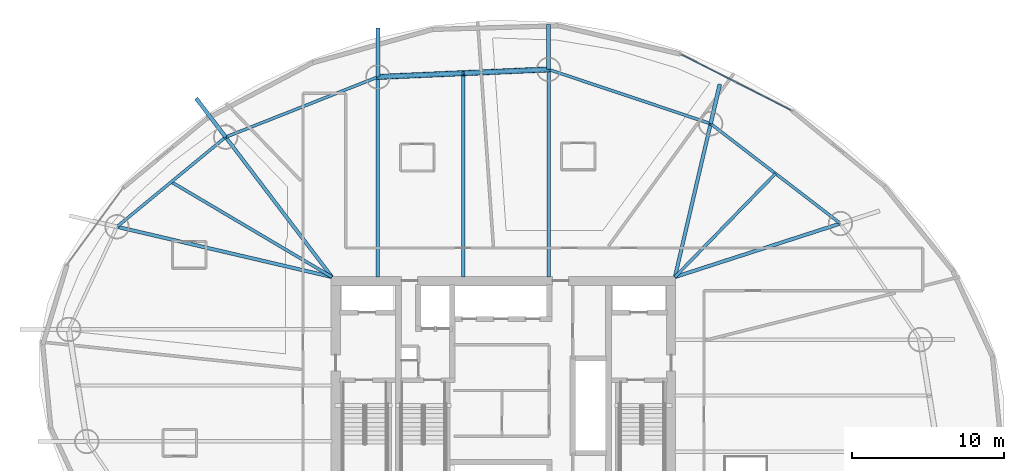
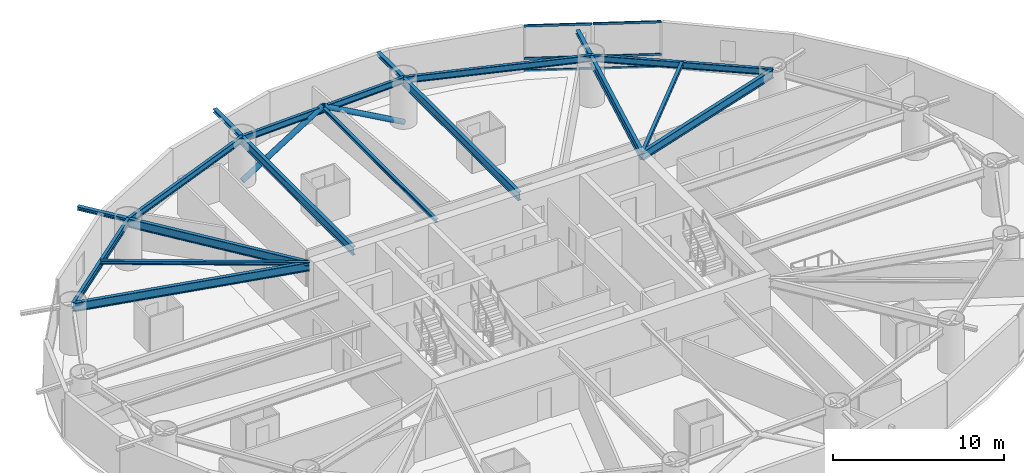
# One storey, part 11 of 20: 18 beams, 8 members, 1 element without a shape of its own.
"""IFC4 building model written with IfcOpenShell, lengths in metres."""

from ifc_helpers import new_model, si_unit, direction, frame, origin, origin_2d, place, context, subcontext, project, spatial, hollow_rectangle, hollow_circle, i_section, extrude, material, layer, layer_set, material_profile, profile_set, type_object, element, aggregate, save


model = new_model("IFC4")

# Units and contexts
model_context = context("Model", 3, precision=1e-05, world=origin(), true_north=direction((0.0, 1.0)))
body_context = subcontext(model_context, "Body", "Model", "MODEL_VIEW")
ifc_project = project(units=[si_unit("LENGTHUNIT", "METRE"), si_unit("AREAUNIT", "SQUARE_METRE"), si_unit("VOLUMEUNIT", "CUBIC_METRE"), si_unit("PLANEANGLEUNIT", "RADIAN"), si_unit("MASSUNIT", "GRAM", prefix="KILO")], contexts=[model_context])

# Site, building, storey
site_placement = place(None, origin())
site = spatial("IfcSite", under=ifc_project, at=site_placement, CompositionType="ELEMENT")
building_placement = place(site_placement, origin())
building = spatial("IfcBuilding", under=site, at=building_placement, Name="Bramvorn Convention Spire", CompositionType="ELEMENT")
storey_placement = place(building_placement, frame((0.0, 0.0, 58.89990234375)))
storey = spatial("IfcBuildingStorey", under=building, at=storey_placement, Name="L12", CompositionType="ELEMENT", Elevation=58.89990234375)

# Beams
ifc_material_1 = material(Name="Steel CSA G40.21 Grade 350 (350W)", Category="steel")
ifc_material_profile_1 = material_profile(ifc_material_1, i_section(OverallWidth=0.201904296875, OverallDepth=0.2470703125, WebThickness=0.00732421875, FlangeThickness=0.010986328125, FilletRadius=0.011962890625, at=origin_2d()))
ifc_profile_set_1 = profile_set([ifc_material_profile_1], Name="Steel CSA G40.21 Grade 350 (350W) - W250X49")
beam_type_1 = type_object("IfcBeamType", Name="BM-W250X49", PredefinedType="JOIST", material=ifc_profile_set_1)
beam_1_placement = place(storey_placement, frame((49.25, 33.449951171875, 3.126708984375), z_axis=(0.697170484005, 0.716905374671, 0.0), x_axis=(-0.716905374671, 0.697170484005, 0.0)))
element("IfcBeam", 1, at=beam_1_placement, inside=storey, type_object=beam_type_1, Name="L12 composite floor joist 03", PredefinedType="JOIST", context=body_context, shape_type="SweptSolid", body=[
    extrude(i_section(OverallWidth=0.201904296875, OverallDepth=0.2470703125, WebThickness=0.00732421875, FlangeThickness=0.010986328125, FilletRadius=0.011962890625, at=origin_2d()), origin(), (0.0, 0.0, 1.0), 9.4638671875),
])
beam_2_placement = place(storey_placement, frame((35.361572265625, 33.449951171875, 3.126708984375), z_axis=(0.0, 1.0, 0.0), x_axis=(-1.0, 0.0, 0.0)))
element("IfcBeam", 2, at=beam_2_placement, inside=storey, type_object=beam_type_1, Name="L12 composite floor joist 05", PredefinedType="JOIST", context=body_context, shape_type="SweptSolid", body=[
    extrude(i_section(OverallWidth=0.201904296875, OverallDepth=0.2470703125, WebThickness=0.00732421875, FlangeThickness=0.010986328125, FilletRadius=0.011962890625, at=origin_2d()), origin(), (0.0, 0.0, 1.0), 13.372802734375),
])
beam_3_placement = place(storey_placement, frame((26.75, 33.449951171875, 3.126708984375), z_axis=(-0.860664556648, 0.509172388223, 0.0), x_axis=(-0.509172388223, -0.860664556648, 0.0)))
element("IfcBeam", 3, at=beam_3_placement, inside=storey, type_object=beam_type_1, Name="L12 composite floor joist 07", PredefinedType="JOIST", context=body_context, shape_type="SweptSolid", body=[
    extrude(i_section(OverallWidth=0.201904296875, OverallDepth=0.2470703125, WebThickness=0.00732421875, FlangeThickness=0.010986328125, FilletRadius=0.011962890625, at=origin_2d()), origin(), (0.0, 0.0, 1.0), 12.25048828125),
])
ifc_material_profile_2 = material_profile(ifc_material_1, i_section(OverallWidth=0.25390625, OverallDepth=0.2529296875, WebThickness=0.008544921875, FlangeThickness=0.01416015625, FilletRadius=0.011962890625, at=origin_2d()))
ifc_profile_set_2 = profile_set([ifc_material_profile_2], Name="Steel CSA G40.21 Grade 350 (350W) - W250X73")
beam_type_2 = type_object("IfcBeamType", Name="BM-W250X73", PredefinedType="BEAM", material=ifc_profile_set_2)
beam_4_placement = place(storey_placement, frame((51.59033203125, 43.509033203125, 3.12353515625), z_axis=(0.226618581984, 0.973983582151, 0.0), x_axis=(-0.973983582151, 0.226618581984, 0.0)))
element("IfcBeam", 4, at=beam_4_placement, inside=storey, type_object=beam_type_2, Name="L12 slab-edge cantilever tip beam MC04", PredefinedType="BEAM", context=body_context, shape_type="SweptSolid", body=[
    extrude(i_section(OverallWidth=0.25390625, OverallDepth=0.2529296875, WebThickness=0.008544921875, FlangeThickness=0.01416015625, FilletRadius=0.011962890625, at=origin_2d()), origin(), (0.0, 0.0, 1.0), 2.665283203125),
])
beam_5_placement = place(storey_placement, frame((40.9609375, 47.06884765625, 3.12353515625), z_axis=(0.0, 1.0, 0.0), x_axis=(-1.0, 0.0, 0.0)))
element("IfcBeam", 5, at=beam_5_placement, inside=storey, type_object=beam_type_2, Name="L12 slab-edge cantilever tip beam MC05", PredefinedType="BEAM", context=body_context, shape_type="SweptSolid", body=[
    extrude(i_section(OverallWidth=0.25390625, OverallDepth=0.2529296875, WebThickness=0.008544921875, FlangeThickness=0.01416015625, FilletRadius=0.011962890625, at=origin_2d()), origin(), (0.0, 0.0, 1.0), 2.9384765625),
])
for number, where, z_axis, x_axis, name in (
    (6, (29.76220703125, 46.57666015625, 3.12353515625), (0.0, 1.0, 0.0), (-1.0, 0.0, 0.0), "L12 slab-edge cantilever tip beam MC06"),
    (7, (19.772216796875, 42.628662109375, 3.12353515625), (-0.605150969009, 0.796110736461, 0.0), (-0.796110736461, -0.605150969009, 0.0), "L12 slab-edge cantilever tip beam MC07"),
):
    element("IfcBeam", number, at=place(storey_placement, frame(where, z_axis=z_axis, x_axis=x_axis)), inside=storey, type_object=beam_type_2, Name=name, PredefinedType="BEAM", context=body_context, shape_type="SweptSolid", body=[
        extrude(i_section(OverallWidth=0.25390625, OverallDepth=0.2529296875, WebThickness=0.008544921875, FlangeThickness=0.01416015625, FilletRadius=0.011962890625, at=origin_2d()), origin(), (0.0, 0.0, 1.0), 3.199951171875),
    ])
ifc_material_profile_3 = material_profile(ifc_material_1, i_section(OverallWidth=0.194091796875, OverallDepth=0.468994140625, WebThickness=0.0126953125, FlangeThickness=0.0205078125, FilletRadius=0.01806640625, at=origin_2d()))
ifc_profile_set_3 = profile_set([ifc_material_profile_3], Name="Steel CSA G40.21 Grade 350 (350W) - W460X106")
beam_type_3 = type_object("IfcBeamType", Name="BM-W460X106", PredefinedType="SPANDREL", material=ifc_profile_set_3)
beam_6_placement = place(storey_placement, frame((60.105224609375, 36.960205078125, 3.015625), z_axis=(-0.792672990445, 0.609647053809, 0.0), x_axis=(-0.609647053809, -0.792672990445, 0.0)))
element("IfcBeam", 8, at=beam_6_placement, inside=storey, type_object=beam_type_3, Name="L12 mega-column ring beam 03", PredefinedType="SPANDREL", context=body_context, shape_type="SweptSolid", body=[
    extrude(i_section(OverallWidth=0.194091796875, OverallDepth=0.468994140625, WebThickness=0.0126953125, FlangeThickness=0.0205078125, FilletRadius=0.01806640625, at=origin_2d()), origin(), (0.0, 0.0, 1.0), 10.741943359375),
])
beam_7_placement = place(storey_placement, frame((51.59033203125, 43.509033203125, 3.015625), z_axis=(-0.948235872727, 0.317566890078, 0.0), x_axis=(-0.317566890078, -0.948235872727, 0.0)))
element("IfcBeam", 9, at=beam_7_placement, inside=storey, type_object=beam_type_3, Name="L12 mega-column ring beam 04", PredefinedType="SPANDREL", context=body_context, shape_type="SweptSolid", body=[
    extrude(i_section(OverallWidth=0.194091796875, OverallDepth=0.468994140625, WebThickness=0.0126953125, FlangeThickness=0.0205078125, FilletRadius=0.01806640625, at=origin_2d()), origin(), (0.0, 0.0, 1.0), 11.209716796875),
])
beam_8_placement = place(storey_placement, frame((40.9609375, 47.06884765625, 3.015625), z_axis=(-0.999035582762, -0.043907907889, 0.0), x_axis=(0.043907907889, -0.999035582762, 0.0)))
element("IfcBeam", 10, at=beam_8_placement, inside=storey, type_object=beam_type_3, Name="L12 mega-column ring beam 05", PredefinedType="SPANDREL", context=body_context, shape_type="SweptSolid", body=[
    extrude(i_section(OverallWidth=0.194091796875, OverallDepth=0.468994140625, WebThickness=0.0126953125, FlangeThickness=0.0205078125, FilletRadius=0.01806640625, at=origin_2d()), origin(), (0.0, 0.0, 1.0), 11.20947265625),
])
beam_9_placement = place(storey_placement, frame((29.76220703125, 46.57666015625, 3.015625), z_axis=(-0.93000950609, -0.367535465749, 0.0), x_axis=(0.367535465749, -0.93000950609, 0.0)))
element("IfcBeam", 11, at=beam_9_placement, inside=storey, type_object=beam_type_3, Name="L12 mega-column ring beam 06", PredefinedType="SPANDREL", context=body_context, shape_type="SweptSolid", body=[
    extrude(i_section(OverallWidth=0.194091796875, OverallDepth=0.468994140625, WebThickness=0.0126953125, FlangeThickness=0.0205078125, FilletRadius=0.01806640625, at=origin_2d()), origin(), (0.0, 0.0, 1.0), 10.74169921875),
])
beam_10_placement = place(storey_placement, frame((19.772216796875, 42.628662109375, 3.015625), z_axis=(-0.771417680101, -0.636329130896, 0.0), x_axis=(0.636329130896, -0.771417680101, 0.0)))
element("IfcBeam", 12, at=beam_10_placement, inside=storey, type_object=beam_type_3, Name="L12 mega-column ring beam 07", PredefinedType="SPANDREL", context=body_context, shape_type="SweptSolid", body=[
    extrude(i_section(OverallWidth=0.194091796875, OverallDepth=0.468994140625, WebThickness=0.0126953125, FlangeThickness=0.0205078125, FilletRadius=0.01806640625, at=origin_2d()), origin(), (0.0, 0.0, 1.0), 9.244140625),
])
ifc_material_profile_4 = material_profile(ifc_material_1, i_section(OverallWidth=0.22998046875, OverallDepth=0.616943359375, WebThickness=0.01318359375, FlangeThickness=0.022216796875, FilletRadius=0.02001953125, at=origin_2d()))
ifc_profile_set_4 = profile_set([ifc_material_profile_4], Name="Steel CSA G40.21 Grade 350 (350W) - W610X140")
beam_type_4 = type_object("IfcBeamType", Name="BM-W610X140", PredefinedType="BEAM", material=ifc_profile_set_4)
beam_11_placement = place(storey_placement, frame((49.25, 33.449951171875, 2.941650390625), z_axis=(0.951488933275, 0.307682969719, 0.0), x_axis=(-0.307682969719, 0.951488933275, 0.0)))
element("IfcBeam", 13, at=beam_11_placement, inside=storey, type_object=beam_type_4, Name="L12 radial floor girder MC03", PredefinedType="BEAM", context=body_context, shape_type="SweptSolid", body=[
    extrude(i_section(OverallWidth=0.22998046875, OverallDepth=0.616943359375, WebThickness=0.01318359375, FlangeThickness=0.022216796875, FilletRadius=0.02001953125, at=origin_2d()), origin(), (0.0, 0.0, 1.0), 11.40869140625),
])
beam_12_placement = place(storey_placement, frame((49.25, 33.449951171875, 2.941650390625), z_axis=(0.226606328522, 0.973986433106, 0.0), x_axis=(-0.973986433106, 0.226606328522, 0.0)))
element("IfcBeam", 14, at=beam_12_placement, inside=storey, type_object=beam_type_4, Name="L12 radial floor girder MC04", PredefinedType="BEAM", context=body_context, shape_type="SweptSolid", body=[
    extrude(i_section(OverallWidth=0.22998046875, OverallDepth=0.616943359375, WebThickness=0.01318359375, FlangeThickness=0.022216796875, FilletRadius=0.02001953125, at=origin_2d()), origin(), (0.0, 0.0, 1.0), 10.32763671875),
])
beam_13_placement = place(storey_placement, frame((40.9609375, 33.449951171875, 2.941650390625), z_axis=(0.0, 1.0, 0.0), x_axis=(-1.0, 0.0, 0.0)))
element("IfcBeam", 15, at=beam_13_placement, inside=storey, type_object=beam_type_4, Name="L12 radial floor girder MC05", PredefinedType="BEAM", context=body_context, shape_type="SweptSolid", body=[
    extrude(i_section(OverallWidth=0.22998046875, OverallDepth=0.616943359375, WebThickness=0.01318359375, FlangeThickness=0.022216796875, FilletRadius=0.02001953125, at=origin_2d()), origin(), (0.0, 0.0, 1.0), 13.618896484375),
])
beam_14_placement = place(storey_placement, frame((29.76220703125, 33.449951171875, 2.941650390625), z_axis=(0.0, 1.0, 0.0), x_axis=(-1.0, 0.0, 0.0)))
element("IfcBeam", 16, at=beam_14_placement, inside=storey, type_object=beam_type_4, Name="L12 radial floor girder MC06", PredefinedType="BEAM", context=body_context, shape_type="SweptSolid", body=[
    extrude(i_section(OverallWidth=0.22998046875, OverallDepth=0.616943359375, WebThickness=0.01318359375, FlangeThickness=0.022216796875, FilletRadius=0.02001953125, at=origin_2d()), origin(), (0.0, 0.0, 1.0), 13.126708984375),
])
beam_15_placement = place(storey_placement, frame((26.75, 33.449951171875, 2.941650390625), z_axis=(-0.605191175112, 0.796080172826, 0.0), x_axis=(-0.796080172826, -0.605191175112, 0.0)))
element("IfcBeam", 17, at=beam_15_placement, inside=storey, type_object=beam_type_4, Name="L12 radial floor girder MC07", PredefinedType="BEAM", context=body_context, shape_type="SweptSolid", body=[
    extrude(i_section(OverallWidth=0.22998046875, OverallDepth=0.616943359375, WebThickness=0.01318359375, FlangeThickness=0.022216796875, FilletRadius=0.02001953125, at=origin_2d()), origin(), (0.0, 0.0, 1.0), 11.52978515625),
])
beam_16_placement = place(storey_placement, frame((26.75, 33.449951171875, 2.941650390625), z_axis=(-0.973775294862, 0.227511923018, 0.0), x_axis=(-0.227511923018, -0.973775294862, 0.0)))
element("IfcBeam", 18, at=beam_16_placement, inside=storey, type_object=beam_type_4, Name="L12 radial floor girder MC08", PredefinedType="BEAM", context=body_context, shape_type="SweptSolid", body=[
    extrude(i_section(OverallWidth=0.22998046875, OverallDepth=0.616943359375, WebThickness=0.01318359375, FlangeThickness=0.022216796875, FilletRadius=0.02001953125, at=origin_2d()), origin(), (0.0, 0.0, 1.0), 14.48876953125),
])

# Curtain wall, members
ifc_material_2 = material(Name="Anodised Bronze Unitised Curtain Wall", Category="aluminium")
ifc_layer = layer(ifc_material_2, 0.179931640625)
ifc_layer_set = layer_set([ifc_layer], Name="Anodised Bronze Unitised Curtain Wall - CW-HTL-FRIT")
curtain_wall_type = type_object("IfcCurtainWallType", Name="CW-HTL-FRIT", PredefinedType="USERDEFINED", material=ifc_layer_set)
curtain_wall_placement = place(storey_placement, origin())
curtain_wall = element("IfcCurtainWall", 19, at=curtain_wall_placement, inside=storey, type_object=curtain_wall_type, Name="L12 fritted glass curtain wall 05", ObjectType="UNITISED CURTAIN WALL", PredefinedType="USERDEFINED")
ifc_material_3 = material(Name="Anodised Bronze Aluminium 6063-T6", Category="aluminium")
ifc_material_profile_5 = material_profile(ifc_material_3, hollow_rectangle(XDim=0.080078125, YDim=0.159912109375, WallThickness=0.00390625, InnerFilletRadius=0.0009765625, OuterFilletRadius=0.00390625, at=origin_2d()))
ifc_profile_set_5 = profile_set([ifc_material_profile_5], Name="Anodised Bronze Aluminium 6063-T6 - CWT80X160")
member_type_1 = type_object("IfcMemberType", Name="CW-TRN-150", PredefinedType="USERDEFINED", material=ifc_profile_set_5)
member_1_placement = place(storey_placement, frame((49.676513671875, 48.042724609375, 0.030029296875), z_axis=(0.891586308784, -0.452850807649, 0.0), x_axis=(0.452850807649, 0.891586308784, 0.0)))
member_1 = element("IfcMember", 20, at=member_1_placement, type_object=member_type_1, Name="CW2 transom 1.1", ObjectType="TRANSOM", PredefinedType="USERDEFINED", context=body_context, shape_type="SweptSolid", body=[
    extrude(hollow_rectangle(XDim=0.080078125, YDim=0.159912109375, WallThickness=0.00390625, InnerFilletRadius=0.0009765625, OuterFilletRadius=0.00390625, at=origin_2d()), origin(), (0.0, 0.0, 1.0), 3.995361328125),
])
member_2_placement = place(storey_placement, frame((49.676513671875, 48.042724609375, 0.900146484375), z_axis=(0.891586308784, -0.452850807649, 0.0), x_axis=(0.452850807649, 0.891586308784, 0.0)))
member_2 = element("IfcMember", 21, at=member_2_placement, type_object=member_type_1, Name="CW2 transom 1.2", ObjectType="TRANSOM", PredefinedType="USERDEFINED", context=body_context, shape_type="SweptSolid", body=[
    extrude(hollow_rectangle(XDim=0.080078125, YDim=0.159912109375, WallThickness=0.00390625, InnerFilletRadius=0.0009765625, OuterFilletRadius=0.00390625, at=origin_2d()), origin(), (0.0, 0.0, 1.0), 3.995361328125),
])
member_3_placement = place(storey_placement, frame((49.676513671875, 48.042724609375, 3.22021484375), z_axis=(0.891586308784, -0.452850807649, 0.0), x_axis=(0.452850807649, 0.891586308784, 0.0)))
member_3 = element("IfcMember", 22, at=member_3_placement, type_object=member_type_1, Name="CW2 transom 1.3", ObjectType="TRANSOM", PredefinedType="USERDEFINED", context=body_context, shape_type="SweptSolid", body=[
    extrude(hollow_rectangle(XDim=0.080078125, YDim=0.159912109375, WallThickness=0.00390625, InnerFilletRadius=0.0009765625, OuterFilletRadius=0.00390625, at=origin_2d()), origin(), (0.0, 0.0, 1.0), 3.995361328125),
])
member_4_placement = place(storey_placement, frame((53.292236328125, 46.206298828125, 0.030029296875), z_axis=(0.891586308784, -0.452850807649, 0.0), x_axis=(0.452850807649, 0.891586308784, 0.0)))
member_4 = element("IfcMember", 23, at=member_4_placement, type_object=member_type_1, Name="CW2 transom 2.1", ObjectType="TRANSOM", PredefinedType="USERDEFINED", context=body_context, shape_type="SweptSolid", body=[
    extrude(hollow_rectangle(XDim=0.080078125, YDim=0.159912109375, WallThickness=0.00390625, InnerFilletRadius=0.0009765625, OuterFilletRadius=0.00390625, at=origin_2d()), origin(), (0.0, 0.0, 1.0), 3.995361328125),
])
member_5_placement = place(storey_placement, frame((53.292236328125, 46.206298828125, 0.900146484375), z_axis=(0.891586308784, -0.452850807649, 0.0), x_axis=(0.452850807649, 0.891586308784, 0.0)))
member_5 = element("IfcMember", 24, at=member_5_placement, type_object=member_type_1, Name="CW2 transom 2.2", ObjectType="TRANSOM", PredefinedType="USERDEFINED", context=body_context, shape_type="SweptSolid", body=[
    extrude(hollow_rectangle(XDim=0.080078125, YDim=0.159912109375, WallThickness=0.00390625, InnerFilletRadius=0.0009765625, OuterFilletRadius=0.00390625, at=origin_2d()), origin(), (0.0, 0.0, 1.0), 3.995361328125),
])
member_6_placement = place(storey_placement, frame((53.292236328125, 46.206298828125, 3.22021484375), z_axis=(0.891586308784, -0.452850807649, 0.0), x_axis=(0.452850807649, 0.891586308784, 0.0)))
member_6 = element("IfcMember", 25, at=member_6_placement, type_object=member_type_1, Name="CW2 transom 2.3", ObjectType="TRANSOM", PredefinedType="USERDEFINED", context=body_context, shape_type="SweptSolid", body=[
    extrude(hollow_rectangle(XDim=0.080078125, YDim=0.159912109375, WallThickness=0.00390625, InnerFilletRadius=0.0009765625, OuterFilletRadius=0.00390625, at=origin_2d()), origin(), (0.0, 0.0, 1.0), 3.995361328125),
])
aggregate(curtain_wall, [member_1, member_2, member_3, member_4, member_5, member_6])

# Members
ifc_material_profile_6 = material_profile(ifc_material_1, hollow_circle(Radius=0.177734375, WallThickness=0.015869140625, at=origin_2d()))
ifc_profile_set_6 = profile_set([ifc_material_profile_6], Name="Steel CSA G40.21 Grade 350 (350W) - CHS356X16")
member_type_2 = type_object("IfcMemberType", Name="MBR-CHS356X16", PredefinedType="BRACE", material=ifc_profile_set_6)
for number, where, z_axis, x_axis, name in (
    (26, (40.9609375, 47.06884765625, 0.0), (-0.864248258726, -0.037983965328, 0.501629510363), (0.043907907889, -0.999035582762, 0.0), "L12 perimeter Gothic lancet brace 5A"),
    (27, (29.76220703125, 46.57666015625, 0.0), (0.864248258726, 0.037983965328, 0.501629510363), (-0.043907907889, 0.999035582762, 0.0), "L12 perimeter Gothic lancet brace 5B"),
):
    element("IfcMember", number, at=place(storey_placement, frame(where, z_axis=z_axis, x_axis=x_axis)), inside=storey, type_object=member_type_2, Name=name, PredefinedType="BRACE", context=body_context, shape_type="SweptSolid", body=[
        extrude(hollow_circle(Radius=0.177734375, WallThickness=0.015869140625, at=origin_2d()), origin(), (0.0, 0.0, 1.0), 6.47900390625),
    ])

save(model, "model.ifc")
